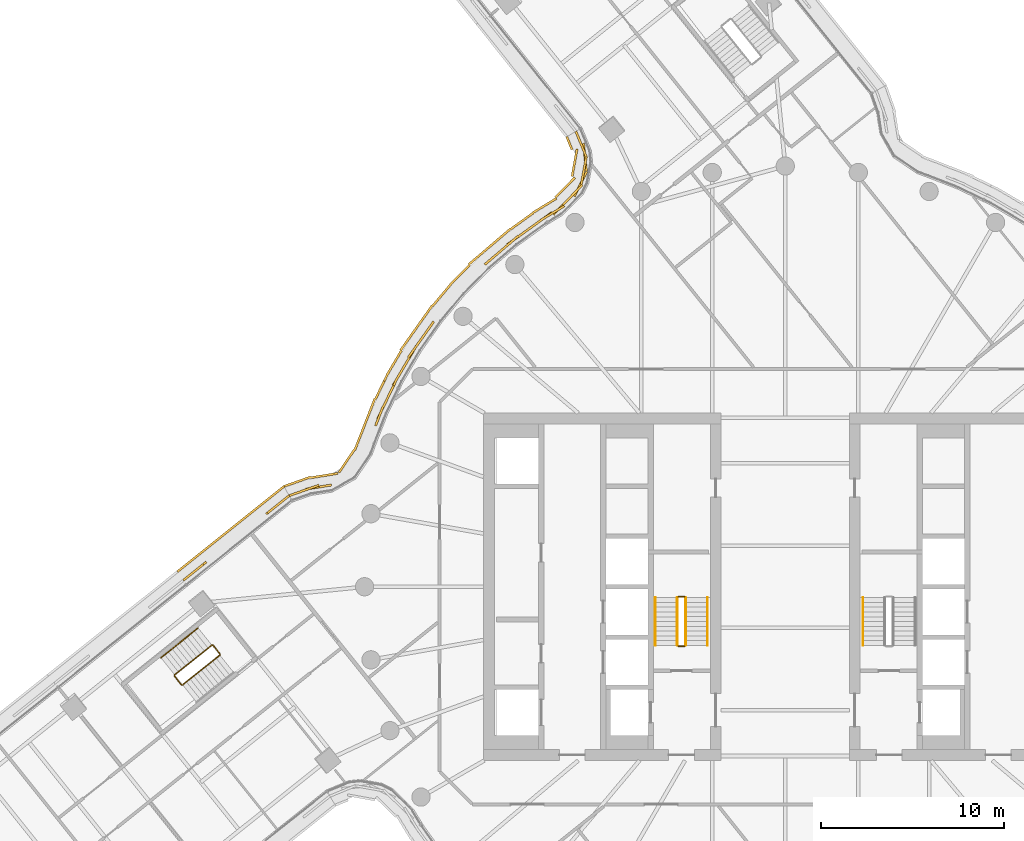
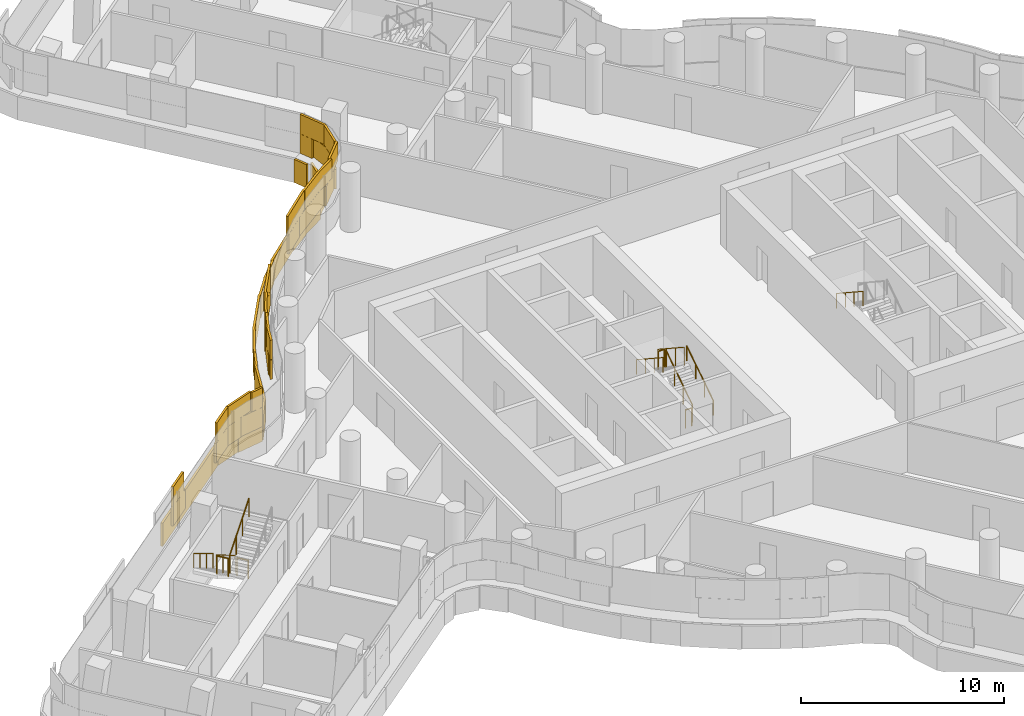
# One storey, part 28 of 31: 12 railings, 3 coverings.
"""IFC4 building model written with IfcOpenShell, lengths in metres."""

import ifcopenshell
import ifcopenshell.guid

model = None  # the IFC model being written
_history = None  # IfcOwnerHistory: only IFC2X3 demands one
_inside = {}  # id of a spatial element -> (the spatial element, [elements in it])
_under = {}  # id of a project, library or spatial element -> (it, [spatial elements below it])
_declared = {}  # id of a project -> (the project, [libraries it declares])
_typed = {}  # id of a type object -> (the type object, [elements of that type])
_made_of = {}  # id of a material, layer set ... -> (it, [elements and type objects made of it])


def new_model(schema):
    """Start an empty IFC model of exactly this schema.

    Asked for "IFC4X3", IfcOpenShell would pick the latest addendum, in which some entities
    have other attributes; the version numbers below select the first issue.
    IFC2X3 requires an IfcOwnerHistory on every rooted entity: one is made here for all.
    """
    global model, _history
    if schema == "IFC4X3":
        model = ifcopenshell.file(schema_version=(4, 3, 0, 0))
    else:
        model = ifcopenshell.file(schema=schema)
    _inside.clear()
    _under.clear()
    _declared.clear()
    _typed.clear()
    _made_of.clear()
    _history = None
    if model.schema == "IFC2X3":
        org = make("IfcOrganization", Name="unknown")
        user = make(
            "IfcPersonAndOrganization",
            ThePerson=make("IfcPerson", FamilyName="unknown"),
            TheOrganization=org,
        )
        app = make(
            "IfcApplication",
            ApplicationDeveloper=org,
            Version="unknown",
            ApplicationFullName="unknown",
            ApplicationIdentifier="unknown",
        )
        _history = make(
            "IfcOwnerHistory",
            OwningUser=user,
            OwningApplication=app,
            ChangeAction="ADDED",
            CreationDate=0,
        )
    return model


def make(cls, **values):
    """One entity of the class cls with the attributes given. An attribute that is None is left unset."""
    return model.create_entity(
        cls, **{name: value for name, value in values.items() if value is not None}
    )


def rooted(cls, **values):
    """An entity with a GlobalId (a new one), such as an element, a storey or a relation."""
    return make(cls, GlobalId=ifcopenshell.guid.new(), OwnerHistory=_history, **values)


def si_unit(unit_type, name, prefix=None):
    """IfcSIUnit, for example si_unit("LENGTHUNIT", "METRE", prefix="MILLI")."""
    return make("IfcSIUnit", UnitType=unit_type, Prefix=prefix, Name=name)


def assignment(units):
    """IfcUnitAssignment: the units of a project."""
    return None if units is None else make("IfcUnitAssignment", Units=units)


def point(xyz):
    """IfcCartesianPoint."""
    return None if xyz is None else make("IfcCartesianPoint", Coordinates=xyz)


def direction(xyz):
    """IfcDirection."""
    return None if xyz is None else make("IfcDirection", DirectionRatios=xyz)


def frame(location, z_axis=None, x_axis=None):
    """IfcAxis2Placement3D, a coordinate frame: its origin and axes. An axis left out is left unset."""
    return make(
        "IfcAxis2Placement3D",
        Location=point(location),
        Axis=direction(z_axis),
        RefDirection=direction(x_axis),
    )


def frame_2d(location, x_axis=None):
    """IfcAxis2Placement2D, a coordinate frame in the plane: its origin and x axis."""
    return make(
        "IfcAxis2Placement2D", Location=point(location), RefDirection=direction(x_axis)
    )


def origin():
    """The frame at (0, 0, 0) with its axes left unset."""
    return frame((0.0, 0.0, 0.0))


def origin_2d():
    """The frame at (0, 0) in the plane with its x axis left unset."""
    return frame_2d((0.0, 0.0))


def place(relative_to, where):
    """IfcLocalPlacement: puts the frame where relative to a parent placement (None: the world)."""
    return make(
        "IfcLocalPlacement", PlacementRelTo=relative_to, RelativePlacement=where
    )


def context(
    kind, dimensions, precision=None, world=None, true_north=None, identifier=None
):
    """IfcGeometricRepresentationContext, for example the 3D "Model" context."""
    return make(
        "IfcGeometricRepresentationContext",
        ContextIdentifier=identifier,
        ContextType=kind,
        CoordinateSpaceDimension=dimensions,
        Precision=precision,
        WorldCoordinateSystem=world,
        TrueNorth=true_north,
    )


def subcontext(parent, identifier, kind, view, scale=None):
    """IfcGeometricRepresentationSubContext, for example "Body" below "Model"."""
    return make(
        "IfcGeometricRepresentationSubContext",
        ContextIdentifier=identifier,
        ContextType=kind,
        ParentContext=parent,
        TargetScale=scale,
        TargetView=view,
    )


def project(units=None, contexts=None):
    """IfcProject with its units and contexts."""
    return rooted(
        "IfcProject",
        Name="project",
        RepresentationContexts=contexts,
        UnitsInContext=assignment(units),
    )


def spatial(cls, under=None, at=None, **own):
    """A site, building, storey or space (cls), placed at a placement, below another one or the project."""
    s = rooted(cls, ObjectPlacement=at, **own)
    if under is not None:
        _under.setdefault(under.id(), (under, []))[1].append(s)
    return s


def profile(cls, at=None, kind="AREA", **sizes):
    """A parametric profile (cls). Its sizes go by their IFC names, for example OverallWidth=200.0."""
    return make(cls, ProfileType=kind, Position=at, **sizes)


def rectangle(**sizes):
    """IfcRectangleProfileDef."""
    return profile("IfcRectangleProfileDef", **sizes)


def circle(**sizes):
    """IfcCircleProfileDef."""
    return profile("IfcCircleProfileDef", **sizes)


def extrude(swept, where, along, depth):
    """IfcExtrudedAreaSolid: the profile swept, set in the frame where, extruded along a direction by depth."""
    return make(
        "IfcExtrudedAreaSolid",
        SweptArea=swept,
        Position=where,
        ExtrudedDirection=direction(along),
        Depth=depth,
    )


def shape(context_of_items, identifier, shape_type, items):
    """IfcShapeRepresentation: the items that make up one representation, for example the "Body"."""
    return make(
        "IfcShapeRepresentation",
        ContextOfItems=context_of_items,
        RepresentationIdentifier=identifier,
        RepresentationType=shape_type,
        Items=items,
    )


def material(Name=None, Category=None):
    """IfcMaterial."""
    return make("IfcMaterial", Name=Name, Category=Category)


def layer(
    of_material, thickness, ventilated=None, Name=None, Category=None, Priority=None
):
    """IfcMaterialLayer: one layer of a wall or slab, of a material (None: an air gap)."""
    return make(
        "IfcMaterialLayer",
        Material=of_material,
        LayerThickness=thickness,
        IsVentilated=ventilated,
        Name=Name,
        Category=Category,
        Priority=Priority,
    )


def layer_set(layers, Name=None):
    """IfcMaterialLayerSet."""
    return make("IfcMaterialLayerSet", MaterialLayers=layers, LayerSetName=Name)


def made_of(thing, what):
    """Note that an element or type object is made of a material, layer set ...; save() writes the relation."""
    if what is not None:
        _made_of.setdefault(what.id(), (what, []))[1].append(thing)
    return thing


def type_object(cls, material=None, **own):
    """A type object (cls), such as IfcWallType, which elements share."""
    return made_of(rooted(cls, **own), material)


def element(
    cls,
    number,
    at=None,
    inside=None,
    cuts=None,
    type_object=None,
    material=None,
    context=None,
    identifier="Body",
    shape_type=None,
    held_by="IfcProductDefinitionShape",
    body=None,
    shapes=None,
    **own,
):
    """One element of the class cls, such as IfcWall. Its Tag is "e" and its number.

    at: its placement. inside: the storey or other place that contains it. cuts: it is an
    opening in that element (IfcRelVoidsElement). A single representation is given by context,
    identifier, shape_type and body (its items); several are given by shapes. held_by: the class
    of the entity that holds the representations. save() writes the other relations.
    """
    e = rooted(cls, Tag="e%d" % number, ObjectPlacement=at, **own)
    if body is not None:
        shapes = [shape(context, identifier, shape_type, body)]
    if shapes is not None:
        e.Representation = make(held_by, Representations=shapes)
    if inside is not None:
        _inside.setdefault(inside.id(), (inside, []))[1].append(e)
    if cuts is not None:
        rooted(
            "IfcRelVoidsElement", RelatingBuildingElement=cuts, RelatedOpeningElement=e
        )
    if type_object is not None:
        _typed.setdefault(type_object.id(), (type_object, []))[1].append(e)
    return made_of(e, material)


def aggregate(whole, parts):
    """IfcRelAggregates: a whole, such as a stair, and the parts it consists of."""
    return rooted("IfcRelAggregates", RelatingObject=whole, RelatedObjects=parts)


def save(model, path):
    """Write the relations noted so far, then the file.

    IfcRelAggregates (storeys below a building ...), IfcRelContainedInSpatialStructure (elements
    in a storey), IfcRelDefinesByType, IfcRelAssociatesMaterial and IfcRelDeclares: one each for
    every whole, place, type object, material and project.
    """
    for whole, parts in _under.values():
        aggregate(whole, parts)
    for where, things in _inside.values():
        rooted(
            "IfcRelContainedInSpatialStructure",
            RelatedElements=things,
            RelatingStructure=where,
        )
    for kind, things in _typed.values():
        rooted("IfcRelDefinesByType", RelatedObjects=things, RelatingType=kind)
    for what, things in _made_of.values():
        rooted("IfcRelAssociatesMaterial", RelatedObjects=things, RelatingMaterial=what)
    for by, libraries in _declared.values():
        rooted("IfcRelDeclares", RelatingContext=by, RelatedDefinitions=libraries)
    model.write(path)


model = new_model("IFC4")

# Units and contexts
model_context = context("Model", 3, precision=1e-05, world=origin(), true_north=direction((0.0, 1.0)))
body_context = subcontext(model_context, "Body", "Model", "MODEL_VIEW")
ifc_project = project(units=[si_unit("LENGTHUNIT", "METRE"), si_unit("AREAUNIT", "SQUARE_METRE"), si_unit("VOLUMEUNIT", "CUBIC_METRE"), si_unit("PLANEANGLEUNIT", "RADIAN"), si_unit("MASSUNIT", "GRAM", prefix="KILO")], contexts=[model_context])

# Site, building, storey
site_placement = place(None, origin())
site = spatial("IfcSite", under=ifc_project, at=site_placement, CompositionType="ELEMENT")
building_placement = place(site_placement, origin())
building = spatial("IfcBuilding", under=site, at=building_placement, Name="Tamarind Cross Interchange Tower", CompositionType="ELEMENT")
storey_placement = place(building_placement, frame((0.0, 0.0, 174.25)))
storey = spatial("IfcBuildingStorey", under=building, at=storey_placement, Name="L43", CompositionType="ELEMENT", Elevation=174.25)

# Railings
ifc_material_1 = material(Name="Stair guard")
railing_type_1 = type_object("IfcRailingType", Name="Stair guard", PredefinedType="GUARDRAIL", material=ifc_material_1)
railing_1_placement = place(storey_placement, frame((-5.449951171875, -3.199951171875, 0.17041015625)))
element("IfcRailing", 1, at=railing_1_placement, inside=storey, type_object=railing_type_1, Name="L43 ST1 stair guard 1", PredefinedType="GUARDRAIL", context=body_context, shape_type="SweptSolid", body=[
    extrude(circle(Radius=0.02392578125, at=origin_2d()), frame((0.0, 0.0, 1.076171875), z_axis=(0.0, 0.836278606002, 0.548304744775), x_axis=(-1.0, 0.0, 0.0)), (0.0, 0.0, 1.0), 3.10888671875),
    extrude(circle(Radius=0.02099609375, at=origin_2d()), origin(), (0.0, 0.0, 1.0), 1.052001953125),
    extrude(circle(Radius=0.02099609375, at=origin_2d()), frame((0.0, 0.86669921875, 0.568115234375)), (0.0, 0.0, 1.0), 1.052001953125),
    extrude(circle(Radius=0.02099609375, at=origin_2d()), frame((0.0, 1.733154296875, 1.136474609375)), (0.0, 0.0, 1.0), 1.052001953125),
    extrude(circle(Radius=0.02099609375, at=origin_2d()), frame((0.0, 2.599853515625, 1.70458984375)), (0.0, 0.0, 1.0), 1.052001953125),
])
railing_2_placement = place(storey_placement, frame((-5.5, -0.550048828125, 1.875)))
element("IfcRailing", 2, at=railing_2_placement, inside=storey, type_object=railing_type_1, Name="L43 ST1 stair guard 2", PredefinedType="GUARDRAIL", context=body_context, shape_type="SweptSolid", body=[
    extrude(circle(Radius=0.02392578125, at=origin_2d()), frame((0.0, 0.0, 1.076171875), z_axis=(-1.0, 0.0, 0.0), x_axis=(0.0, -1.0, 0.0)), (0.0, 0.0, 1.0), 0.35009765625),
    extrude(circle(Radius=0.02099609375, at=origin_2d()), origin(), (0.0, 0.0, 1.0), 1.052001953125),
    extrude(circle(Radius=0.02099609375, at=origin_2d()), frame((-0.35009765625, 0.0, 0.0)), (0.0, 0.0, 1.0), 1.052001953125),
])
railing_3_placement = place(storey_placement, frame((-5.89990234375, -0.60009765625, 2.04541015625)))
element("IfcRailing", 3, at=railing_3_placement, inside=storey, type_object=railing_type_1, Name="L43 ST1 stair guard 3", PredefinedType="GUARDRAIL", context=body_context, shape_type="SweptSolid", body=[
    extrude(circle(Radius=0.02392578125, at=origin_2d()), frame((0.0, 0.0, 1.076171875), z_axis=(0.0, -0.836278606002, 0.548304744775), x_axis=(1.0, 0.0, 0.0)), (0.0, 0.0, 1.0), 3.10888671875),
    extrude(circle(Radius=0.02099609375, at=origin_2d()), origin(), (0.0, 0.0, 1.0), 1.052001953125),
    extrude(circle(Radius=0.02099609375, at=origin_2d()), frame((0.0, -0.86669921875, 0.568115234375)), (0.0, 0.0, 1.0), 1.052001953125),
    extrude(circle(Radius=0.02099609375, at=origin_2d()), frame((0.0, -1.733154296875, 1.136474609375)), (0.0, 0.0, 1.0), 1.052001953125),
    extrude(circle(Radius=0.02099609375, at=origin_2d()), frame((0.0, -2.599853515625, 1.70458984375)), (0.0, 0.0, 1.0), 1.052001953125),
])
railing_4_placement = place(storey_placement, frame((-5.5, -3.25, 0.0)))
element("IfcRailing", 4, at=railing_4_placement, inside=storey, type_object=railing_type_1, Name="L43 ST1 stair guard 4", PredefinedType="GUARDRAIL", context=body_context, shape_type="SweptSolid", body=[
    extrude(circle(Radius=0.02392578125, at=origin_2d()), frame((0.0, 0.0, 1.076171875), z_axis=(-1.0, 0.0, 0.0), x_axis=(0.0, -1.0, 0.0)), (0.0, 0.0, 1.0), 0.35009765625),
    extrude(circle(Radius=0.02099609375, at=origin_2d()), origin(), (0.0, 0.0, 1.0), 1.052001953125),
    extrude(circle(Radius=0.02099609375, at=origin_2d()), frame((-0.35009765625, 0.0, 0.0)), (0.0, 0.0, 1.0), 1.052001953125),
])
railing_5_placement = place(storey_placement, frame((-31.35498046875, -3.193359375, 0.17041015625)))
element("IfcRailing", 5, at=railing_5_placement, inside=storey, type_object=railing_type_1, Name="L43 ST5 stair guard 1", PredefinedType="GUARDRAIL", context=body_context, shape_type="SweptSolid", body=[
    extrude(circle(Radius=0.02392578125, at=origin_2d()), frame((0.0, 0.0, 1.076171875), z_axis=(-0.653030987341, -0.522440495283, 0.548275896298), x_axis=(0.62470649852, -0.780859648533, 0.0)), (0.0, 0.0, 1.0), 3.10888671875),
    extrude(circle(Radius=0.02099609375, at=origin_2d()), origin(), (0.0, 0.0, 1.0), 1.052001953125),
    extrude(circle(Radius=0.02099609375, at=origin_2d()), frame((-0.6767578125, -0.54150390625, 0.568115234375)), (0.0, 0.0, 1.0), 1.052001953125),
    extrude(circle(Radius=0.02099609375, at=origin_2d()), frame((-1.353515625, -1.082763671875, 1.136474609375)), (0.0, 0.0, 1.0), 1.052001953125),
    extrude(circle(Radius=0.02099609375, at=origin_2d()), frame((-2.0302734375, -1.624267578125, 1.70458984375)), (0.0, 0.0, 1.0), 1.052001953125),
])
railing_6_placement = place(storey_placement, frame((-33.39306640625, -4.8876953125, 1.875)))
element("IfcRailing", 6, at=railing_6_placement, inside=storey, type_object=railing_type_1, Name="L43 ST5 stair guard 2", PredefinedType="GUARDRAIL", context=body_context, shape_type="SweptSolid", body=[
    extrude(circle(Radius=0.02392578125, at=origin_2d()), frame((0.0, 0.0, 1.076171875), z_axis=(0.624446963695, -0.781067211918, 0.0), x_axis=(0.781067211918, 0.624446963695, 0.0)), (0.0, 0.0, 1.0), 0.60009765625),
    extrude(circle(Radius=0.02099609375, at=origin_2d()), origin(), (0.0, 0.0, 1.0), 1.052001953125),
    extrude(circle(Radius=0.02099609375, at=origin_2d()), frame((0.374755859375, -0.46875, 0.0)), (0.0, 0.0, 1.0), 1.052001953125),
])
railing_7_placement = place(storey_placement, frame((-32.947998046875, -5.3642578125, 2.04541015625)))
element("IfcRailing", 7, at=railing_7_placement, inside=storey, type_object=railing_type_1, Name="L43 ST5 stair guard 3", PredefinedType="GUARDRAIL", context=body_context, shape_type="SweptSolid", body=[
    extrude(circle(Radius=0.02392578125, at=origin_2d()), frame((0.0, 0.0, 1.076171875), z_axis=(0.653030987341, 0.522440495283, 0.548275896298), x_axis=(-0.62470649852, 0.780859648533, 0.0)), (0.0, 0.0, 1.0), 3.10888671875),
    extrude(circle(Radius=0.02099609375, at=origin_2d()), origin(), (0.0, 0.0, 1.0), 1.052001953125),
    extrude(circle(Radius=0.02099609375, at=origin_2d()), frame((0.6767578125, 0.54150390625, 0.568115234375)), (0.0, 0.0, 1.0), 1.052001953125),
    extrude(circle(Radius=0.02099609375, at=origin_2d()), frame((1.353515625, 1.082763671875, 1.136474609375)), (0.0, 0.0, 1.0), 1.052001953125),
    extrude(circle(Radius=0.02099609375, at=origin_2d()), frame((2.0302734375, 1.624267578125, 1.70458984375)), (0.0, 0.0, 1.0), 1.052001953125),
])
railing_8_placement = place(storey_placement, frame((-31.28466796875, -3.201171875, 0.0)))
element("IfcRailing", 8, at=railing_8_placement, inside=storey, type_object=railing_type_1, Name="L43 ST5 stair guard 4", PredefinedType="GUARDRAIL", context=body_context, shape_type="SweptSolid", body=[
    extrude(circle(Radius=0.02392578125, at=origin_2d()), frame((0.0, 0.0, 1.076171875), z_axis=(0.624645420058, -0.780908508854, 0.0), x_axis=(0.780908508854, 0.624645420058, 0.0)), (0.0, 0.0, 1.0), 0.599853515625),
    extrude(circle(Radius=0.02099609375, at=origin_2d()), origin(), (0.0, 0.0, 1.0), 1.052001953125),
    extrude(circle(Radius=0.02099609375, at=origin_2d()), frame((0.374755859375, -0.468505859375, 0.0)), (0.0, 0.0, 1.0), 1.052001953125),
])
ifc_material_2 = material(Name="Stair handrail")
railing_type_2 = type_object("IfcRailingType", Name="Stair handrail", PredefinedType="HANDRAIL", material=ifc_material_2)
railing_9_placement = place(storey_placement, frame((-4.25, -3.199951171875, 0.17041015625)))
element("IfcRailing", 9, at=railing_9_placement, inside=storey, type_object=railing_type_2, Name="L43 ST1 stair handrail 1", PredefinedType="HANDRAIL", context=body_context, shape_type="SweptSolid", body=[
    extrude(circle(Radius=0.02392578125, at=origin_2d()), frame((0.0, 0.0, 0.8759765625), z_axis=(0.0, 0.836278606002, 0.548304744775), x_axis=(-1.0, 0.0, 0.0)), (0.0, 0.0, 1.0), 3.10888671875),
    extrude(circle(Radius=0.02099609375, at=origin_2d()), origin(), (0.0, 0.0, 1.0), 0.851806640625),
    extrude(circle(Radius=0.02099609375, at=origin_2d()), frame((0.0, 0.86669921875, 0.568115234375)), (0.0, 0.0, 1.0), 0.851806640625),
    extrude(circle(Radius=0.02099609375, at=origin_2d()), frame((0.0, 1.733154296875, 1.136474609375)), (0.0, 0.0, 1.0), 0.851806640625),
    extrude(circle(Radius=0.02099609375, at=origin_2d()), frame((0.0, 2.599853515625, 1.70458984375)), (0.0, 0.0, 1.0), 0.851806640625),
])
for number, where, name in (
    (10, (-7.10009765625, -0.60009765625, 2.04541015625), "L43 ST1 stair handrail 2"),
    (11, (4.25, -0.60009765625, 2.04541015625), "L43 ST2 stair handrail 2"),
):
    element("IfcRailing", number, at=place(storey_placement, frame(where)), inside=storey, type_object=railing_type_2, Name=name, PredefinedType="HANDRAIL", context=body_context, shape_type="SweptSolid", body=[
        extrude(circle(Radius=0.02392578125, at=origin_2d()), frame((0.0, 0.0, 0.8759765625), z_axis=(0.0, -0.836278606002, 0.548304744775), x_axis=(1.0, 0.0, 0.0)), (0.0, 0.0, 1.0), 3.10888671875),
        extrude(circle(Radius=0.02099609375, at=origin_2d()), origin(), (0.0, 0.0, 1.0), 0.851806640625),
        extrude(circle(Radius=0.02099609375, at=origin_2d()), frame((0.0, -0.86669921875, 0.568115234375)), (0.0, 0.0, 1.0), 0.851806640625),
        extrude(circle(Radius=0.02099609375, at=origin_2d()), frame((0.0, -1.733154296875, 1.136474609375)), (0.0, 0.0, 1.0), 0.851806640625),
        extrude(circle(Radius=0.02099609375, at=origin_2d()), frame((0.0, -2.599853515625, 1.70458984375)), (0.0, 0.0, 1.0), 0.851806640625),
    ])
railing_10_placement = place(storey_placement, frame((-32.1044921875, -2.25634765625, 0.17041015625)))
element("IfcRailing", 12, at=railing_10_placement, inside=storey, type_object=railing_type_2, Name="L43 ST5 stair handrail 1", PredefinedType="HANDRAIL", context=body_context, shape_type="SweptSolid", body=[
    extrude(circle(Radius=0.02392578125, at=origin_2d()), frame((0.0, 0.0, 0.8759765625), z_axis=(-0.653057778038, -0.522383398209, 0.548298389401), x_axis=(0.624649239663, -0.780905453553, 0.0)), (0.0, 0.0, 1.0), 3.10888671875),
    extrude(circle(Radius=0.02099609375, at=origin_2d()), origin(), (0.0, 0.0, 1.0), 0.851806640625),
    extrude(circle(Radius=0.02099609375, at=origin_2d()), frame((-0.6767578125, -0.541259765625, 0.568115234375)), (0.0, 0.0, 1.0), 0.851806640625),
    extrude(circle(Radius=0.02099609375, at=origin_2d()), frame((-1.353515625, -1.082763671875, 1.136474609375)), (0.0, 0.0, 1.0), 0.851806640625),
    extrude(circle(Radius=0.02099609375, at=origin_2d()), frame((-2.0302734375, -1.6240234375, 1.70458984375)), (0.0, 0.0, 1.0), 0.851806640625),
])

# Coverings
ifc_material_3 = material(Name="Terracotta", Category="masonry")
ifc_layer = layer(ifc_material_3, 0.1201171875)
ifc_layer_set = layer_set([ifc_layer], Name="Terracotta")
covering_type = type_object("IfcCoveringType", Name="Terracotta baguette screen unit", PredefinedType="MOLDING", material=ifc_layer_set)
covering_1_placement = place(storey_placement, origin())
element("IfcCovering", 13, at=covering_1_placement, inside=storey, type_object=covering_type, Name="SCR-L43-14-00", PredefinedType="MOLDING", context=body_context, shape_type="SweptSolid", body=[
    extrude(rectangle(XDim=0.760009765625, YDim=0.1201171875, at=origin_2d()), frame((-11.306640625, 24.551513671875, 1.404052734375), z_axis=(0.0, 0.0, 1.0), x_axis=(0.380202807979, -0.924903143472, 0.0)), (0.0, 0.0, 1.0), 1.1669921875),
    extrude(rectangle(XDim=1.52001953125, YDim=0.1201171875, at=origin_2d()), frame((-10.953125, 23.4921875, 1.404052734375), z_axis=(0.0, 0.0, 1.0), x_axis=(0.105134074673, -0.994458056603, 0.0)), (0.0, 0.0, 1.0), 1.1669921875),
    extrude(rectangle(XDim=1.52001953125, YDim=0.1201171875, at=origin_2d()), frame((-11.19140625, 22.028076171875, 1.404052734375), z_axis=(0.0, 0.0, 1.0), x_axis=(-0.447568959097, -0.894249420941, 0.0)), (0.0, 0.0, 1.0), 1.1669921875),
    extrude(rectangle(XDim=1.52001953125, YDim=0.1201171875, at=origin_2d()), frame((-12.14892578125, 20.890625, 1.404052734375), z_axis=(0.0, 0.0, 1.0), x_axis=(-0.699579033166, -0.714555229744, 0.0)), (0.0, 0.0, 1.0), 1.1669921875),
    extrude(rectangle(XDim=1.52001953125, YDim=0.1201171875, at=origin_2d()), frame((-13.3671875, 20.0302734375, 1.404052734375), z_axis=(0.0, 0.0, 1.0), x_axis=(-0.811340475102, -0.584573890505, 0.0)), (0.0, 0.0, 1.0), 1.1669921875),
    extrude(rectangle(XDim=1.52001953125, YDim=0.1201171875, at=origin_2d()), frame((-14.584228515625, 19.1533203125, 1.404052734375), z_axis=(0.0, 0.0, 1.0), x_axis=(-0.811340475102, -0.584573890505, 0.0)), (0.0, 0.0, 1.0), 1.1669921875),
    extrude(rectangle(XDim=1.52001953125, YDim=0.1201171875, at=origin_2d()), frame((-15.742919921875, 18.202392578125, 1.404052734375), z_axis=(0.0, 0.0, 1.0), x_axis=(-0.760295606781, -0.64957723968, 0.0)), (0.0, 0.0, 1.0), 1.1669921875),
    extrude(rectangle(XDim=1.52001953125, YDim=0.1201171875, at=origin_2d()), frame((-19.745849609375, 13.758056640625, 1.404052734375), z_axis=(0.0, 0.0, 1.0), x_axis=(-0.577568978284, -0.816341886298, 0.0)), (0.0, 0.0, 1.0), 1.1669921875),
    extrude(rectangle(XDim=1.52001953125, YDim=0.1201171875, at=origin_2d()), frame((-20.565185546875, 12.5029296875, 1.404052734375), z_axis=(0.0, 0.0, 1.0), x_axis=(-0.508183308752, -0.861248933065, 0.0)), (0.0, 0.0, 1.0), 1.1669921875),
    extrude(rectangle(XDim=1.003173828125, YDim=0.1201171875, at=origin_2d()), frame((-21.198486328125, 11.429443359375, 1.404052734375), z_axis=(0.0, 0.0, 1.0), x_axis=(-0.508183308752, -0.861248933065, 0.0)), (0.0, 0.0, 1.0), 1.1669921875),
    extrude(rectangle(XDim=1.510009765625, YDim=0.1201171875, at=origin_2d()), frame((-11.1640625, 24.204833984375, 2.5791015625), z_axis=(0.0, 0.0, 1.0), x_axis=(0.380202807979, -0.924903143472, 0.0)), (0.0, 0.0, 1.0), 1.1669921875),
    extrude(rectangle(XDim=1.52001953125, YDim=0.1201171875, at=origin_2d()), frame((-11.0146484375, 22.751708984375, 2.5791015625), z_axis=(0.0, 0.0, 1.0), x_axis=(-0.178398024605, -0.98395840604, 0.0)), (0.0, 0.0, 1.0), 1.1669921875),
    extrude(rectangle(XDim=1.52001953125, YDim=0.1201171875, at=origin_2d()), frame((-11.624267578125, 21.4267578125, 2.5791015625), z_axis=(0.0, 0.0, 1.0), x_axis=(-0.699579033166, -0.714555229744, 0.0)), (0.0, 0.0, 1.0), 1.1669921875),
    extrude(rectangle(XDim=1.52001953125, YDim=0.1201171875, at=origin_2d()), frame((-12.73193359375, 20.42822265625, 2.5791015625), z_axis=(0.0, 0.0, 1.0), x_axis=(-0.854662661757, -0.519183719505, 0.0)), (0.0, 0.0, 1.0), 1.1669921875),
    extrude(rectangle(XDim=1.52001953125, YDim=0.1201171875, at=origin_2d()), frame((-13.9755859375, 19.591796875, 2.5791015625), z_axis=(0.0, 0.0, 1.0), x_axis=(-0.811340475102, -0.584573890505, 0.0)), (0.0, 0.0, 1.0), 1.1669921875),
    extrude(rectangle(XDim=1.52001953125, YDim=0.1201171875, at=origin_2d()), frame((-15.1728515625, 18.689453125, 2.5791015625), z_axis=(0.0, 0.0, 1.0), x_axis=(-0.760295606781, -0.64957723968, 0.0)), (0.0, 0.0, 1.0), 1.1669921875),
    extrude(rectangle(XDim=0.902587890625, YDim=0.1201171875, at=origin_2d()), frame((-16.082275390625, 17.912353515625, 2.5791015625), z_axis=(0.0, 0.0, 1.0), x_axis=(-0.760295606781, -0.64957723968, 0.0)), (0.0, 0.0, 1.0), 1.1669921875),
    extrude(rectangle(XDim=0.917236328125, YDim=0.1201171875, at=origin_2d()), frame((-19.483642578125, 14.128173828125, 2.5791015625), z_axis=(0.0, 0.0, 1.0), x_axis=(-0.577568978284, -0.816341886298, 0.0)), (0.0, 0.0, 1.0), 1.1669921875),
    extrude(rectangle(XDim=1.52001953125, YDim=0.1201171875, at=origin_2d()), frame((-20.178955078125, 13.145751953125, 2.5791015625), z_axis=(0.0, 0.0, 1.0), x_axis=(-0.577568978284, -0.816341886298, 0.0)), (0.0, 0.0, 1.0), 1.1669921875),
    extrude(rectangle(XDim=1.52001953125, YDim=0.1201171875, at=origin_2d()), frame((-20.9462890625, 11.85693359375, 2.5791015625), z_axis=(0.0, 0.0, 1.0), x_axis=(-0.508183308752, -0.861248933065, 0.0)), (0.0, 0.0, 1.0), 1.1669921875),
    extrude(rectangle(XDim=0.253173828125, YDim=0.1201171875, at=origin_2d()), frame((-21.36669921875, 11.094482421875, 2.5791015625), z_axis=(0.0, 0.0, 1.0), x_axis=(-0.435326231914, -0.900272776334, 0.0)), (0.0, 0.0, 1.0), 1.1669921875),
    extrude(rectangle(XDim=0.760009765625, YDim=0.1201171875, at=origin_2d()), frame((-11.8046875, 24.25341796875, 0.00390625), z_axis=(0.0, 0.0, 1.0), x_axis=(0.380202807979, -0.924903143472, 0.0)), (0.0, 0.0, 1.0), 1.39208984375),
    extrude(rectangle(XDim=1.52001953125, YDim=0.1201171875, at=origin_2d()), frame((-11.518798828125, 23.18798828125, 0.00390625), z_axis=(0.0, 0.0, 1.0), x_axis=(-0.178398024605, -0.98395840604, 0.0)), (0.0, 0.0, 1.0), 1.39208984375),
    extrude(rectangle(XDim=1.52001953125, YDim=0.1201171875, at=origin_2d()), frame((-12.037841796875, 21.82470703125, 0.00390625), z_axis=(0.0, 0.0, 1.0), x_axis=(-0.699579033166, -0.714555229744, 0.0)), (0.0, 0.0, 1.0), 1.39208984375),
    extrude(rectangle(XDim=1.52001953125, YDim=0.1201171875, at=origin_2d()), frame((-13.157470703125, 20.84130859375, 0.00390625), z_axis=(0.0, 0.0, 1.0), x_axis=(-0.854662661757, -0.519183719505, 0.0)), (0.0, 0.0, 1.0), 1.39208984375),
    extrude(rectangle(XDim=1.52001953125, YDim=0.1201171875, at=origin_2d()), frame((-14.395751953125, 19.99658203125, 0.00390625), z_axis=(0.0, 0.0, 1.0), x_axis=(-0.811340475102, -0.584573890505, 0.0)), (0.0, 0.0, 1.0), 1.39208984375),
    extrude(rectangle(XDim=1.52001953125, YDim=0.1201171875, at=origin_2d()), frame((-15.588623046875, 19.089111328125, 0.00390625), z_axis=(0.0, 0.0, 1.0), x_axis=(-0.760295606781, -0.64957723968, 0.0)), (0.0, 0.0, 1.0), 1.39208984375),
    extrude(rectangle(XDim=1.52001953125, YDim=0.1201171875, at=origin_2d()), frame((-16.72900390625, 18.11474609375, 0.00390625), z_axis=(0.0, 0.0, 1.0), x_axis=(-0.760295606781, -0.64957723968, 0.0)), (0.0, 0.0, 1.0), 1.39208984375),
    extrude(rectangle(XDim=1.52001953125, YDim=0.1201171875, at=origin_2d()), frame((-17.7890625, 17.0537109375, 0.00390625), z_axis=(0.0, 0.0, 1.0), x_axis=(-0.704057148523, -0.710143317658, 0.0)), (0.0, 0.0, 1.0), 1.39208984375),
    extrude(rectangle(XDim=1.52001953125, YDim=0.1201171875, at=origin_2d()), frame((-18.79052734375, 15.9384765625, 0.00390625), z_axis=(0.0, 0.0, 1.0), x_axis=(-0.643009266048, -0.765858396687, 0.0)), (0.0, 0.0, 1.0), 1.39208984375),
    extrude(rectangle(XDim=1.52001953125, YDim=0.1201171875, at=origin_2d()), frame((-19.731689453125, 14.771728515625, 0.00390625), z_axis=(0.0, 0.0, 1.0), x_axis=(-0.577568978284, -0.816341886298, 0.0)), (0.0, 0.0, 1.0), 1.39208984375),
    extrude(rectangle(XDim=1.52001953125, YDim=0.1201171875, at=origin_2d()), frame((-20.597900390625, 13.54736328125, 0.00390625), z_axis=(0.0, 0.0, 1.0), x_axis=(-0.577568978284, -0.816341886298, 0.0)), (0.0, 0.0, 1.0), 1.39208984375),
    extrude(rectangle(XDim=1.52001953125, YDim=0.1201171875, at=origin_2d()), frame((-21.372802734375, 12.263671875, 0.00390625), z_axis=(0.0, 0.0, 1.0), x_axis=(-0.508183308752, -0.861248933065, 0.0)), (0.0, 0.0, 1.0), 1.39208984375),
    extrude(rectangle(XDim=0.420166015625, YDim=0.1201171875, at=origin_2d()), frame((-21.8388671875, 11.436279296875, 0.00390625), z_axis=(0.0, 0.0, 1.0), x_axis=(-0.435326231914, -0.900272776334, 0.0)), (0.0, 0.0, 1.0), 1.39208984375),
])
covering_2_placement = place(storey_placement, origin())
element("IfcCovering", 14, at=covering_2_placement, inside=storey, type_object=covering_type, Name="SCR-L43-14-01", PredefinedType="MOLDING", context=body_context, shape_type="SweptSolid", body=[
    extrude(rectangle(XDim=0.516845703125, YDim=0.1201171875, at=origin_2d()), frame((-21.52978515625, 10.7568359375, 1.404052734375), z_axis=(0.0, 0.0, 1.0), x_axis=(-0.435326231914, -0.900272776334, 0.0)), (0.0, 0.0, 1.0), 1.1669921875),
    extrude(rectangle(XDim=1.52001953125, YDim=0.1201171875, at=origin_2d()), frame((-21.966796875, 9.853271484375, 1.404052734375), z_axis=(0.0, 0.0, 1.0), x_axis=(-0.435326231914, -0.900272776334, 0.0)), (0.0, 0.0, 1.0), 1.1669921875),
    extrude(rectangle(XDim=0.392578125, YDim=0.1201171875, at=origin_2d()), frame((-22.33056640625, 8.98583984375, 1.404052734375), z_axis=(0.0, 0.0, 1.0), x_axis=(-0.363507970569, -0.931591088049, 0.0)), (0.0, 0.0, 1.0), 1.1669921875),
    extrude(rectangle(XDim=1.42724609375, YDim=0.1201171875, at=origin_2d()), frame((-25.518310546875, 5.44921875, 1.404052734375), z_axis=(0.0, 0.0, 1.0), x_axis=(-0.987441445984, -0.157985413104, 0.0)), (0.0, 0.0, 1.0), 1.1669921875),
    extrude(rectangle(XDim=0.982177734375, YDim=0.1201171875, at=origin_2d()), frame((-26.667724609375, 5.140869140625, 1.404052734375), z_axis=(0.0, 0.0, 1.0), x_axis=(-0.942751684499, -0.333495519273, 0.0)), (0.0, 0.0, 1.0), 1.1669921875),
    extrude(rectangle(XDim=1.266845703125, YDim=0.1201171875, at=origin_2d()), frame((-21.693115234375, 10.419189453125, 2.5791015625), z_axis=(0.0, 0.0, 1.0), x_axis=(-0.435326231914, -0.900272776334, 0.0)), (0.0, 0.0, 1.0), 1.1669921875),
    extrude(rectangle(XDim=1.142578125, YDim=0.1201171875, at=origin_2d()), frame((-22.1943359375, 9.335205078125, 2.5791015625), z_axis=(0.0, 0.0, 1.0), x_axis=(-0.363507970569, -0.931591088049, 0.0)), (0.0, 0.0, 1.0), 1.1669921875),
    extrude(rectangle(XDim=0.67724609375, YDim=0.1201171875, at=origin_2d()), frame((-25.14794921875, 5.508544921875, 2.5791015625), z_axis=(0.0, 0.0, 1.0), x_axis=(-0.987441445984, -0.157985413104, 0.0)), (0.0, 0.0, 1.0), 1.1669921875),
    extrude(rectangle(XDim=1.52001953125, YDim=0.1201171875, at=origin_2d()), frame((-26.20947265625, 5.30322265625, 2.5791015625), z_axis=(0.0, 0.0, 1.0), x_axis=(-0.942751684499, -0.333495519273, 0.0)), (0.0, 0.0, 1.0), 1.1669921875),
    extrude(rectangle(XDim=0.232177734375, YDim=0.1201171875, at=origin_2d()), frame((-27.021240234375, 5.015869140625, 2.5791015625), z_axis=(0.0, 0.0, 1.0), x_axis=(-0.942751684499, -0.333495519273, 0.0)), (0.0, 0.0, 1.0), 1.1669921875),
    extrude(rectangle(XDim=1.099853515625, YDim=0.1201171875, at=origin_2d()), frame((-22.169677734375, 10.752197265625, 0.00390625), z_axis=(0.0, 0.0, 1.0), x_axis=(-0.435326231914, -0.900272776334, 0.0)), (0.0, 0.0, 1.0), 1.39208984375),
    extrude(rectangle(XDim=1.52001953125, YDim=0.1201171875, at=origin_2d()), frame((-22.7138671875, 9.583251953125, 0.00390625), z_axis=(0.0, 0.0, 1.0), x_axis=(-0.363507970569, -0.931591088049, 0.0)), (0.0, 0.0, 1.0), 1.39208984375),
    extrude(rectangle(XDim=1.52001953125, YDim=0.1201171875, at=origin_2d()), frame((-23.259033203125, 8.185791015625, 0.00390625), z_axis=(0.0, 0.0, 1.0), x_axis=(-0.363507970569, -0.931591088049, 0.0)), (0.0, 0.0, 1.0), 1.39208984375),
    extrude(rectangle(XDim=1.52001953125, YDim=0.1201171875, at=origin_2d()), frame((-23.975341796875, 6.87939453125, 0.00390625), z_axis=(0.0, 0.0, 1.0), x_axis=(-0.558129030036, -0.829754171927, 0.0)), (0.0, 0.0, 1.0), 1.39208984375),
    extrude(rectangle(XDim=1.52001953125, YDim=0.1201171875, at=origin_2d()), frame((-25.201904296875, 6.0810546875, 0.00390625), z_axis=(0.0, 0.0, 1.0), x_axis=(-0.987441445984, -0.157985413104, 0.0)), (0.0, 0.0, 1.0), 1.39208984375),
    extrude(rectangle(XDim=1.52001953125, YDim=0.1201171875, at=origin_2d()), frame((-26.659912109375, 5.752685546875, 0.00390625), z_axis=(0.0, 0.0, 1.0), x_axis=(-0.942751684499, -0.333495519273, 0.0)), (0.0, 0.0, 1.0), 1.39208984375),
    extrude(rectangle(XDim=0.054443359375, YDim=0.1201171875, at=origin_2d()), frame((-27.383056640625, 5.496826171875, 0.00390625), z_axis=(0.0, 0.0, 1.0), x_axis=(-0.942751684499, -0.333495519273, 0.0)), (0.0, 0.0, 1.0), 1.39208984375),
])
covering_3_placement = place(storey_placement, origin())
element("IfcCovering", 15, at=covering_3_placement, inside=storey, type_object=covering_type, Name="SCR-L43-15-00", PredefinedType="MOLDING", context=body_context, shape_type="SweptSolid", body=[
    extrude(rectangle(XDim=0.760009765625, YDim=0.1201171875, at=origin_2d()), frame((-27.4189453125, 4.74462890625, 1.404052734375), z_axis=(0.0, 0.0, 1.0), x_axis=(-0.780892885425, -0.624664951388, 0.0)), (0.0, 0.0, 1.0), 1.1669921875),
    extrude(rectangle(XDim=0.8603515625, YDim=0.1201171875, at=origin_2d()), frame((-28.043701171875, 4.244873046875, 1.404052734375), z_axis=(0.0, 0.0, 1.0), x_axis=(-0.780892885425, -0.624664951388, 0.0)), (0.0, 0.0, 1.0), 1.1669921875),
    extrude(rectangle(XDim=0.959716796875, YDim=0.1201171875, at=origin_2d()), frame((-32.0263671875, 1.05908203125, 1.404052734375), z_axis=(0.0, 0.0, 1.0), x_axis=(-0.780892885425, -0.624664951388, 0.0)), (0.0, 0.0, 1.0), 1.1669921875),
    extrude(rectangle(XDim=0.66064453125, YDim=0.1201171875, at=origin_2d()), frame((-32.651123046875, 0.55908203125, 1.404052734375), z_axis=(0.0, 0.0, 1.0), x_axis=(-0.780892885425, -0.624664951388, 0.0)), (0.0, 0.0, 1.0), 1.1669921875),
    extrude(rectangle(XDim=1.510009765625, YDim=0.1201171875, at=origin_2d()), frame((-27.711669921875, 4.51025390625, 2.5791015625), z_axis=(0.0, 0.0, 1.0), x_axis=(-0.780892885425, -0.624664951388, 0.0)), (0.0, 0.0, 1.0), 1.1669921875),
    extrude(rectangle(XDim=1.41064453125, YDim=0.1201171875, at=origin_2d()), frame((-32.3583984375, 0.79345703125, 2.5791015625), z_axis=(0.0, 0.0, 1.0), x_axis=(-0.780892885425, -0.624664951388, 0.0)), (0.0, 0.0, 1.0), 1.1669921875),
    extrude(rectangle(XDim=0.760009765625, YDim=0.1201171875, at=origin_2d()), frame((-27.70556640625, 5.250244140625, 0.00390625), z_axis=(0.0, 0.0, 1.0), x_axis=(-0.780892885425, -0.624664951388, 0.0)), (0.0, 0.0, 1.0), 1.39208984375),
    extrude(rectangle(XDim=1.52001953125, YDim=0.1201171875, at=origin_2d()), frame((-28.580078125, 4.55078125, 0.00390625), z_axis=(0.0, 0.0, 1.0), x_axis=(-0.780892885425, -0.624664951388, 0.0)), (0.0, 0.0, 1.0), 1.39208984375),
    extrude(rectangle(XDim=1.52001953125, YDim=0.1201171875, at=origin_2d()), frame((-29.75146484375, 3.61376953125, 0.00390625), z_axis=(0.0, 0.0, 1.0), x_axis=(-0.780892885425, -0.624664951388, 0.0)), (0.0, 0.0, 1.0), 1.39208984375),
    extrude(rectangle(XDim=1.52001953125, YDim=0.1201171875, at=origin_2d()), frame((-30.9228515625, 2.6767578125, 0.00390625), z_axis=(0.0, 0.0, 1.0), x_axis=(-0.780892885425, -0.624664951388, 0.0)), (0.0, 0.0, 1.0), 1.39208984375),
    extrude(rectangle(XDim=1.52001953125, YDim=0.1201171875, at=origin_2d()), frame((-32.09423828125, 1.73974609375, 0.00390625), z_axis=(0.0, 0.0, 1.0), x_axis=(-0.780892885425, -0.624664951388, 0.0)), (0.0, 0.0, 1.0), 1.39208984375),
    extrude(rectangle(XDim=0.7158203125, YDim=0.1201171875, at=origin_2d()), frame((-32.95166015625, 1.0537109375, 0.00390625), z_axis=(0.0, 0.0, 1.0), x_axis=(-0.780892885425, -0.624664951388, 0.0)), (0.0, 0.0, 1.0), 1.39208984375),
])

save(model, "model.ifc")
